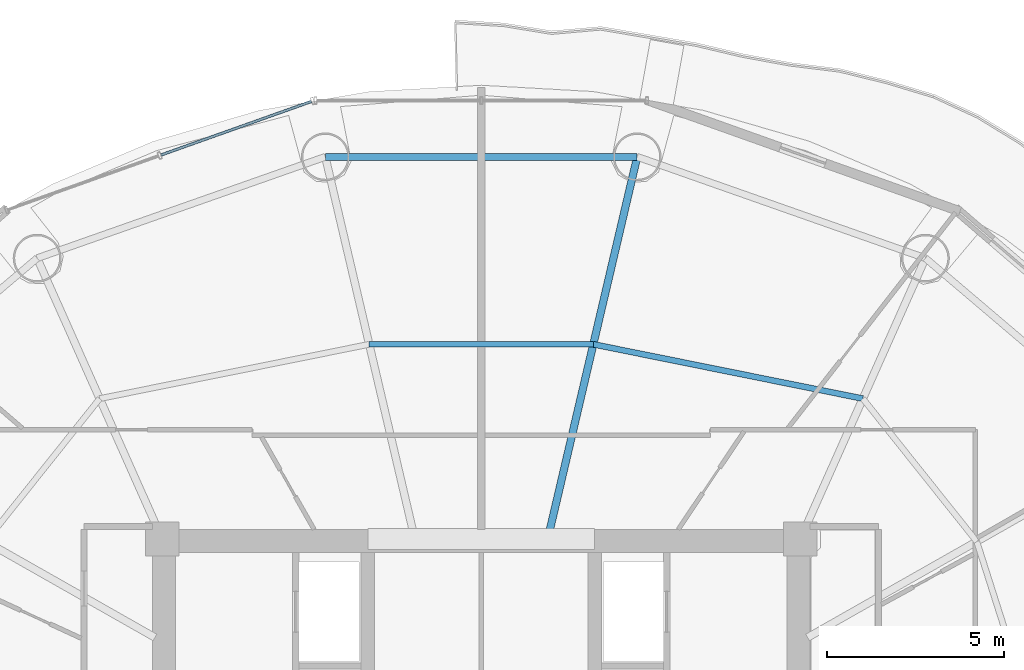
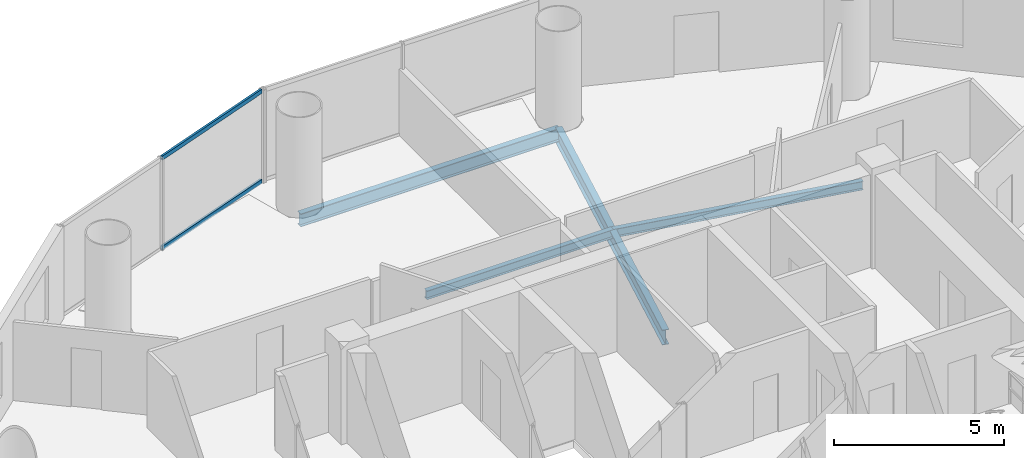
# One storey, part 15 of 26: 4 beams, 2 members, 1 element without a shape of its own.
"""IFC4 building model written with IfcOpenShell, lengths in metres."""

from ifc_helpers import new_model, si_unit, direction, frame, origin, origin_2d, place, context, subcontext, project, spatial, hollow_rectangle, i_section, extrude, source, transform, mapped, material, material_profile, profile_set, type_object, element, aggregate, save


model = new_model("IFC4")

# Units and contexts
model_context = context("Model", 3, precision=1e-05, world=origin(), true_north=direction((-0.2419218956, 0.970295726276)))
body_context = subcontext(model_context, "Body", "Model", "MODEL_VIEW")
ifc_project = project(units=[si_unit("LENGTHUNIT", "METRE"), si_unit("AREAUNIT", "SQUARE_METRE"), si_unit("VOLUMEUNIT", "CUBIC_METRE"), si_unit("PLANEANGLEUNIT", "RADIAN"), si_unit("MASSUNIT", "GRAM", prefix="KILO")], contexts=[model_context])

# Site, building, storey
site_placement = place(None, origin())
site = spatial("IfcSite", under=ifc_project, at=site_placement, CompositionType="ELEMENT")
building_placement = place(site_placement, origin())
building = spatial("IfcBuilding", under=site, at=building_placement, Name="Cobrevalo Terracotta Tower", CompositionType="ELEMENT")
storey_placement = place(building_placement, frame((0.0, 0.0, 171.39990234375)))
storey = spatial("IfcBuildingStorey", under=building, at=storey_placement, Name="L45", CompositionType="ELEMENT", Elevation=171.39990234375)

# Beams
ifc_material_1 = material(Name="Steel S355", Category="steel")
ifc_material_profile_1 = material_profile(ifc_material_1, i_section(OverallWidth=0.2109375, OverallDepth=0.5390625, WebThickness=0.01171875, FlangeThickness=0.018798828125, at=origin_2d()), Name="W 530x109")
ifc_profile_set_1 = profile_set([ifc_material_profile_1], Name="Steel S355")
beam_type_1 = type_object("IfcBeamType", Name="Structural Beam W 530x109 (Steel S355)", PredefinedType="BEAM", material=ifc_profile_set_1)
beam_1_placement = place(storey_placement, frame((42.399169921875, 45.58203125, -0.539306640625), z_axis=(-0.228040864186, -0.973651562039, 0.0), x_axis=(0.973651562039, -0.228040864186, 0.0)))
element("IfcBeam", 1, at=beam_1_placement, inside=storey, type_object=beam_type_1, Name="L45 radial floor girder 04", PredefinedType="BEAM", context=body_context, shape_type="SweptSolid", body=[
    extrude(i_section(OverallWidth=0.2109375, OverallDepth=0.5390625, WebThickness=0.01171875, FlangeThickness=0.018798828125, at=origin_2d()), origin(), (0.0, 0.0, 1.0), 10.86328125),
])
ifc_material_profile_2 = material_profile(ifc_material_1, i_section(OverallWidth=0.1650390625, OverallDepth=0.31005859375, WebThickness=0.005859375, FlangeThickness=0.009765625, at=origin_2d()), Name="W 310x38.7")
ifc_profile_set_2 = profile_set([ifc_material_profile_2], Name="Steel S355")
beam_type_2 = type_object("IfcBeamType", Name="Structural Joist W 310x38.7 (Steel S355)", PredefinedType="JOIST", material=ifc_profile_set_2)
beam_2_placement = place(storey_placement, frame((48.76416015625, 38.76123046875, -0.4248046875), z_axis=(-0.980293928329, 0.197544461026, 0.0), x_axis=(-0.197544461026, -0.980293928329, 0.0)))
element("IfcBeam", 2, at=beam_2_placement, inside=storey, type_object=beam_type_2, Name="L45 circumferential secondary floor joist 03", PredefinedType="JOIST", context=body_context, shape_type="SweptSolid", body=[
    extrude(i_section(OverallWidth=0.1650390625, OverallDepth=0.31005859375, WebThickness=0.005859375, FlangeThickness=0.009765625, at=origin_2d()), origin(), (0.0, 0.0, 1.0), 7.75634765625),
])
beam_3_placement = place(storey_placement, frame((41.16064453125, 40.29345703125, -0.4248046875), z_axis=(-1.0, 0.0, 0.0), x_axis=(0.0, -1.0, 0.0)))
element("IfcBeam", 3, at=beam_3_placement, inside=storey, type_object=beam_type_2, Name="L45 circumferential secondary floor joist 04", PredefinedType="JOIST", context=body_context, shape_type="SweptSolid", body=[
    extrude(i_section(OverallWidth=0.1650390625, OverallDepth=0.31005859375, WebThickness=0.005859375, FlangeThickness=0.009765625, at=origin_2d()), origin(), (0.0, 0.0, 1.0), 6.3212890625),
])
ifc_material_profile_3 = material_profile(ifc_material_1, i_section(OverallWidth=0.194091796875, OverallDepth=0.468994140625, WebThickness=0.011474609375, FlangeThickness=0.0205078125, at=origin_2d()), Name="W 460x106")
ifc_profile_set_3 = profile_set([ifc_material_profile_3], Name="Steel S355")
beam_type_3 = type_object("IfcBeamType", Name="Structural Spandrel W 460x106 (Steel S355)", PredefinedType="SPANDREL", material=ifc_profile_set_3)
beam_4_placement = place(storey_placement, frame((42.399169921875, 45.58203125, -0.50439453125), z_axis=(-1.0, 0.0, 0.0), x_axis=(0.0, -1.0, 0.0)))
element("IfcBeam", 4, at=beam_4_placement, inside=storey, type_object=beam_type_3, Name="L45 perimeter ring spandrel 04", PredefinedType="SPANDREL", context=body_context, shape_type="SweptSolid", body=[
    extrude(i_section(OverallWidth=0.194091796875, OverallDepth=0.468994140625, WebThickness=0.011474609375, FlangeThickness=0.0205078125, at=origin_2d()), origin(), (0.0, 0.0, 1.0), 8.79833984375),
])

# Curtain wall, members
ifc_material_2 = material(Name="Anodized aluminium", Category="aluminium")
curtain_wall_type = type_object("IfcCurtainWallType", Name="Mid-tower high-wind unitised curtain wall CW-U2", PredefinedType="NOTDEFINED", material=ifc_material_2)
curtain_wall_placement = place(storey_placement, origin())
curtain_wall = element("IfcCurtainWall", 5, at=curtain_wall_placement, inside=storey, type_object=curtain_wall_type, Name="L45 curtain wall CW-L45-S05", PredefinedType="NOTDEFINED")
ifc_material_profile_4 = material_profile(ifc_material_2, hollow_rectangle(XDim=0.074951171875, YDim=0.14990234375, WallThickness=0.00439453125, at=origin_2d()), Name="CWT 75x150")
ifc_profile_set_4 = profile_set([ifc_material_profile_4], Name="Anodized aluminium")
member_type = type_object("IfcMemberType", Name="Tower unitised aluminium transom 75x150", PredefinedType="USERDEFINED", material=ifc_profile_set_4)
shared_shape = source(origin(), body_context, "Body", "SweptSolid", [
    extrude(hollow_rectangle(XDim=0.074951171875, YDim=0.14990234375, WallThickness=0.00439453125, at=origin_2d()), origin(), (0.0, 0.0, 1.0), 4.50390625),
])
member_1_placement = place(storey_placement, frame((33.209228515625, 47.14404296875, 0.050048828125), z_axis=(-0.94210437316, -0.335319772863, 0.0), x_axis=(0.335319772863, -0.94210437316, 0.0)))
member_1 = element("IfcMember", 6, at=member_1_placement, type_object=member_type, Name="CW-L45-S05 transom B01-T1", ObjectType="TRANSOM", PredefinedType="USERDEFINED", context=body_context, shape_type="MappedRepresentation", body=[
    mapped(shared_shape, transform((0.0, 0.0, 0.0), scale=1.0)),
])
member_2_placement = place(storey_placement, frame((33.209228515625, 47.14404296875, 3.280029296875), z_axis=(-0.94210437316, -0.335319772863, 0.0), x_axis=(0.335319772863, -0.94210437316, 0.0)))
member_2 = element("IfcMember", 7, at=member_2_placement, type_object=member_type, Name="CW-L45-S05 transom B01-T2", ObjectType="TRANSOM", PredefinedType="USERDEFINED", context=body_context, shape_type="MappedRepresentation", body=[
    mapped(shared_shape, transform((0.0, 0.0, 0.0), scale=1.0)),
])
aggregate(curtain_wall, [member_1, member_2])

save(model, "model.ifc")
